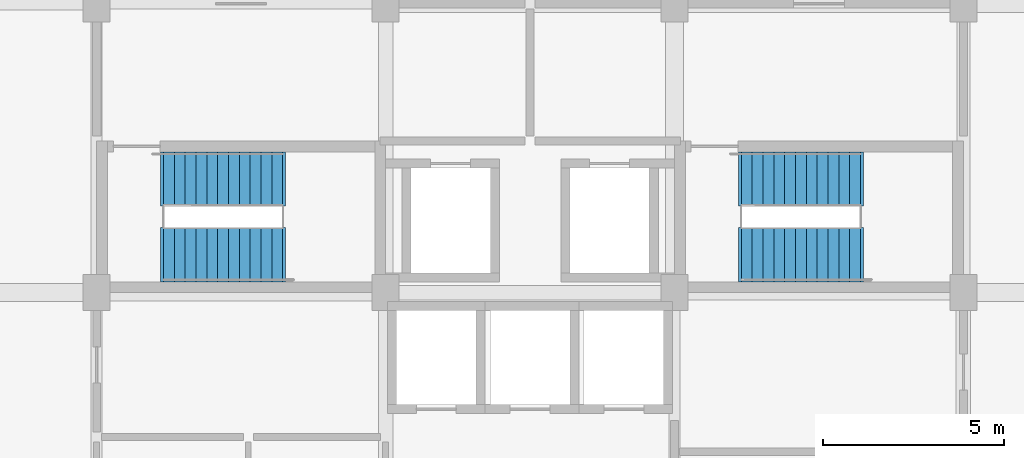
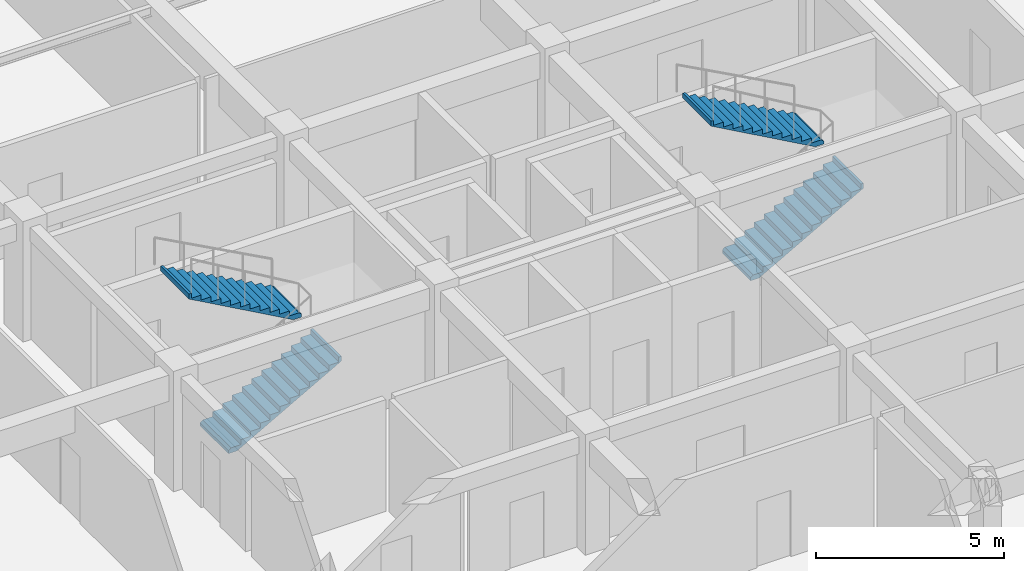
# One storey, part 14 of 15: 4 stair flights, 2 elements without a shape of their own.
"""IFC4 building model written with IfcOpenShell, lengths in metres."""

from ifc_helpers import new_model, si_unit, direction, frame, origin, place, context, subcontext, project, spatial, polyline, outline, extrude, material, type_object, element, aggregate, save


model = new_model("IFC4")

# Units and contexts
model_context = context("Model", 3, precision=1e-05, world=origin(), true_north=direction((0.0, 1.0)))
body_context = subcontext(model_context, "Body", "Model", "MODEL_VIEW")
ifc_project = project(units=[si_unit("LENGTHUNIT", "METRE"), si_unit("AREAUNIT", "SQUARE_METRE"), si_unit("VOLUMEUNIT", "CUBIC_METRE"), si_unit("PLANEANGLEUNIT", "RADIAN"), si_unit("MASSUNIT", "GRAM", prefix="KILO")], contexts=[model_context])

# Site, building, storey
site_placement = place(None, origin())
site = spatial("IfcSite", under=ifc_project, at=site_placement, CompositionType="ELEMENT")
building_placement = place(site_placement, origin())
building = spatial("IfcBuilding", under=site, at=building_placement, Name="Vellmiral Cinema and Media Centre", CompositionType="ELEMENT")
storey_placement = place(building_placement, frame((0.0, 0.0, 31.699951171875)))
storey = spatial("IfcBuildingStorey", under=building, at=storey_placement, Name="L07", CompositionType="ELEMENT", Elevation=31.699951171875)

# Stair, stair flights
ifc_material_1 = material(Name="Concrete C40/50", Category="concrete")
stair_type = type_object("IfcStairType", Name="ST-2RET-390", PredefinedType="HALF_TURN_STAIR", material=ifc_material_1)
stair_1_placement = place(storey_placement, origin())
stair_1 = element("IfcStair", 1, at=stair_1_placement, inside=storey, type_object=stair_type, Name="Protected Escape Stair ST-T1 (L07)", PredefinedType="HALF_TURN_STAIR")
ifc_material_2 = material(Name="Concrete C40/50", Category="concrete")
stair_flight_type = type_object("IfcStairFlightType", Name="STF-STR-390", PredefinedType="STRAIGHT", material=ifc_material_2)
stair_flight_1_placement = place(storey_placement, frame((125.85009765625, 88.25, 0.0), z_axis=(0.0, 0.0, 1.0), x_axis=(1.0, 0.0, 0.0)))
stair_flight_1 = element("IfcStairFlight", 2, at=stair_flight_1_placement, type_object=stair_flight_type, Name="ST-T1 flight 1", NumberOfRisers=12, NumberOfTreads=11, PredefinedType="STRAIGHT", RiserHeight=0.1625, TreadLength=0.3, context=body_context, shape_type="SweptSolid", body=[
    extrude(outline(polyline([(-0.080078125, 0.0), (-0.080078125, 0.097412109375), (0.0, 0.16259765625), (0.300048828125, 0.16259765625), (0.300048828125, 0.324951171875), (0.60009765625, 0.324951171875), (0.60009765625, 0.487548828125), (0.89990234375, 0.487548828125), (0.89990234375, 0.64990234375), (1.199951171875, 0.64990234375), (1.199951171875, 0.8125), (1.5, 0.8125), (1.5, 0.97509765625), (1.800048828125, 0.97509765625), (1.800048828125, 1.137451171875), (2.10009765625, 1.137451171875), (2.10009765625, 1.300048828125), (2.39990234375, 1.300048828125), (2.39990234375, 1.46240234375), (2.699951171875, 1.46240234375), (2.699951171875, 1.625), (3.0, 1.625), (3.0, 1.78759765625), (3.300048828125, 1.78759765625), (3.300048828125, 1.949951171875), (3.380126953125, 1.949951171875), (3.380126953125, 1.7900390625), (0.179931640625, 0.0), (-0.080078125, 0.0)])), frame((0.0, 0.75, 0.0), z_axis=(0.0, -1.0, 0.0), x_axis=(1.0, 0.0, 0.0)), (0.0, 0.0, 1.0), 1.5),
])
stair_flight_2_placement = place(storey_placement, frame((129.14990234375, 90.35009765625, 1.949951171875), z_axis=(0.0, 0.0, 1.0), x_axis=(-1.0, 0.0, 0.0)))
stair_flight_2 = element("IfcStairFlight", 3, at=stair_flight_2_placement, type_object=stair_flight_type, Name="ST-T1 flight 2", NumberOfRisers=12, NumberOfTreads=11, PredefinedType="STRAIGHT", RiserHeight=0.1625, TreadLength=0.3, context=body_context, shape_type="SweptSolid", body=[
    extrude(outline(polyline([(-0.080078125, 0.0), (-0.080078125, 0.097412109375), (0.0, 0.16259765625), (0.300048828125, 0.16259765625), (0.300048828125, 0.324951171875), (0.60009765625, 0.324951171875), (0.60009765625, 0.487548828125), (0.89990234375, 0.487548828125), (0.89990234375, 0.64990234375), (1.199951171875, 0.64990234375), (1.199951171875, 0.8125), (1.5, 0.8125), (1.5, 0.97509765625), (1.800048828125, 0.97509765625), (1.800048828125, 1.137451171875), (2.10009765625, 1.137451171875), (2.10009765625, 1.300048828125), (2.39990234375, 1.300048828125), (2.39990234375, 1.46240234375), (2.699951171875, 1.46240234375), (2.699951171875, 1.625), (3.0, 1.625), (3.0, 1.78759765625), (3.300048828125, 1.78759765625), (3.300048828125, 1.949951171875), (3.380126953125, 1.949951171875), (3.380126953125, 1.7900390625), (0.179931640625, 0.0), (-0.080078125, 0.0)])), frame((0.0, 0.75, 0.0), z_axis=(0.0, -1.0, 0.0), x_axis=(1.0, 0.0, 0.0)), (0.0, 0.0, 1.0), 1.5),
])
aggregate(stair_1, [stair_flight_1, stair_flight_2])

stair_2_placement = place(storey_placement, origin())
stair_2 = element("IfcStair", 4, at=stair_2_placement, inside=storey, type_object=stair_type, Name="Protected Escape Stair ST-T2 (L07)", PredefinedType="HALF_TURN_STAIR")
stair_flight_3_placement = place(storey_placement, frame((141.85009765625, 88.25, 0.0), z_axis=(0.0, 0.0, 1.0), x_axis=(1.0, 0.0, 0.0)))
stair_flight_3 = element("IfcStairFlight", 5, at=stair_flight_3_placement, type_object=stair_flight_type, Name="ST-T2 flight 1", NumberOfRisers=12, NumberOfTreads=11, PredefinedType="STRAIGHT", RiserHeight=0.1625, TreadLength=0.3, context=body_context, shape_type="SweptSolid", body=[
    extrude(outline(polyline([(-0.080078125, 0.0), (-0.080078125, 0.097412109375), (0.0, 0.16259765625), (0.300048828125, 0.16259765625), (0.300048828125, 0.324951171875), (0.60009765625, 0.324951171875), (0.60009765625, 0.487548828125), (0.89990234375, 0.487548828125), (0.89990234375, 0.64990234375), (1.199951171875, 0.64990234375), (1.199951171875, 0.8125), (1.5, 0.8125), (1.5, 0.97509765625), (1.800048828125, 0.97509765625), (1.800048828125, 1.137451171875), (2.10009765625, 1.137451171875), (2.10009765625, 1.300048828125), (2.39990234375, 1.300048828125), (2.39990234375, 1.46240234375), (2.699951171875, 1.46240234375), (2.699951171875, 1.625), (3.0, 1.625), (3.0, 1.78759765625), (3.300048828125, 1.78759765625), (3.300048828125, 1.949951171875), (3.380126953125, 1.949951171875), (3.380126953125, 1.7900390625), (0.179931640625, 0.0), (-0.080078125, 0.0)])), frame((0.0, 0.75, 0.0), z_axis=(0.0, -1.0, 0.0), x_axis=(1.0, 0.0, 0.0)), (0.0, 0.0, 1.0), 1.5),
])
stair_flight_4_placement = place(storey_placement, frame((145.14990234375, 90.35009765625, 1.949951171875), z_axis=(0.0, 0.0, 1.0), x_axis=(-1.0, 0.0, 0.0)))
stair_flight_4 = element("IfcStairFlight", 6, at=stair_flight_4_placement, type_object=stair_flight_type, Name="ST-T2 flight 2", NumberOfRisers=12, NumberOfTreads=11, PredefinedType="STRAIGHT", RiserHeight=0.1625, TreadLength=0.3, context=body_context, shape_type="SweptSolid", body=[
    extrude(outline(polyline([(-0.080078125, 0.0), (-0.080078125, 0.097412109375), (0.0, 0.16259765625), (0.300048828125, 0.16259765625), (0.300048828125, 0.324951171875), (0.60009765625, 0.324951171875), (0.60009765625, 0.487548828125), (0.89990234375, 0.487548828125), (0.89990234375, 0.64990234375), (1.199951171875, 0.64990234375), (1.199951171875, 0.8125), (1.5, 0.8125), (1.5, 0.97509765625), (1.800048828125, 0.97509765625), (1.800048828125, 1.137451171875), (2.10009765625, 1.137451171875), (2.10009765625, 1.300048828125), (2.39990234375, 1.300048828125), (2.39990234375, 1.46240234375), (2.699951171875, 1.46240234375), (2.699951171875, 1.625), (3.0, 1.625), (3.0, 1.78759765625), (3.300048828125, 1.78759765625), (3.300048828125, 1.949951171875), (3.380126953125, 1.949951171875), (3.380126953125, 1.7900390625), (0.179931640625, 0.0), (-0.080078125, 0.0)])), frame((0.0, 0.75, 0.0), z_axis=(0.0, -1.0, 0.0), x_axis=(1.0, 0.0, 0.0)), (0.0, 0.0, 1.0), 1.5),
])
aggregate(stair_2, [stair_flight_3, stair_flight_4])

save(model, "model.ifc")
